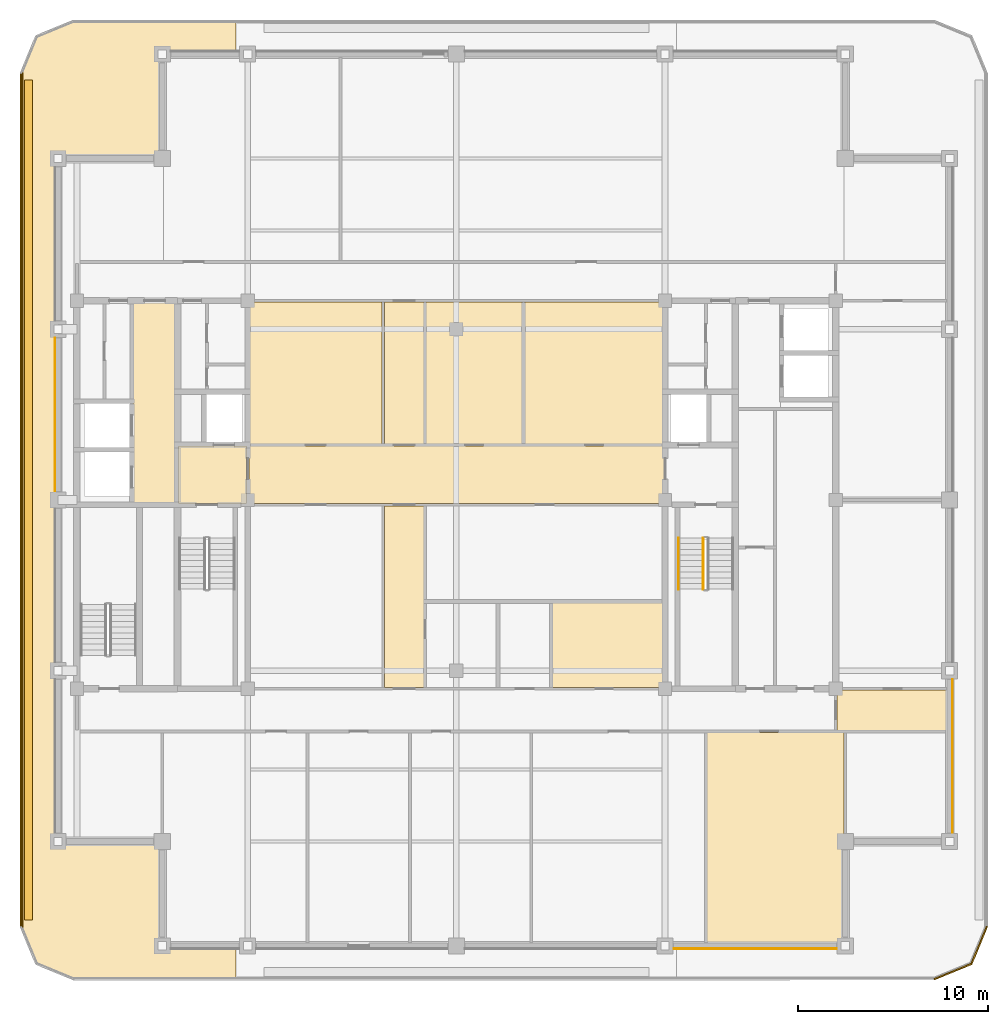
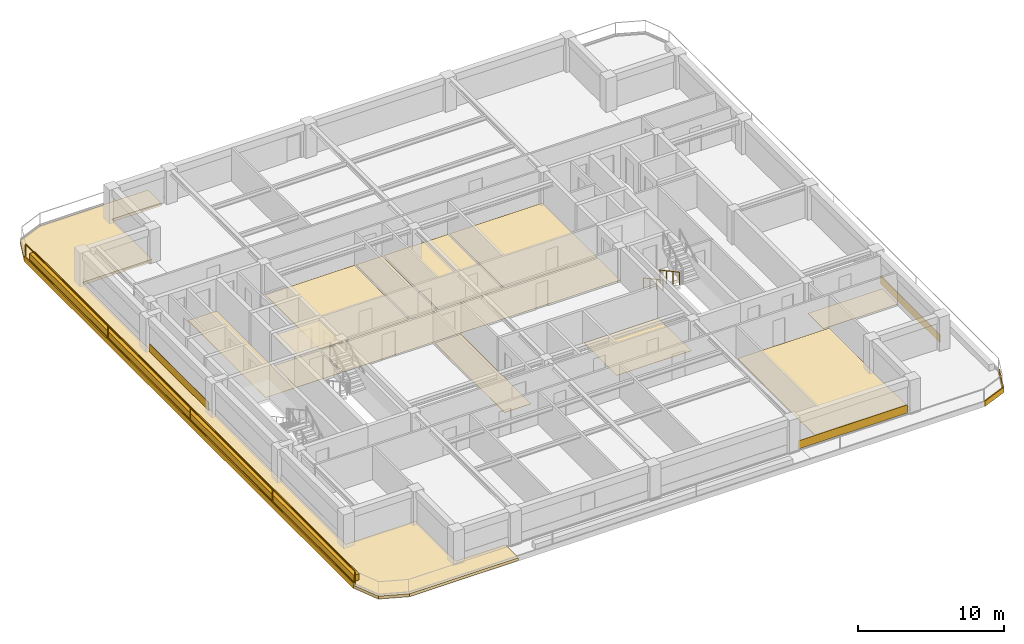
# One storey, part 8 of 10: 20 coverings, 3 railings.
"""IFC4 building model written with IfcOpenShell, lengths in metres."""

from ifc_helpers import new_model, si_unit, direction, frame, frame_2d, origin, origin_2d, place, context, subcontext, project, spatial, polyline, rectangle, outline, extrude, material, layer, layer_set, type_object, element, save


model = new_model("IFC4")

# Units and contexts
model_context = context("Model", 3, precision=1e-05, world=origin(), true_north=direction((0.0, 1.0)))
body_context = subcontext(model_context, "Body", "Model", "MODEL_VIEW")
ifc_project = project(units=[si_unit("LENGTHUNIT", "METRE"), si_unit("AREAUNIT", "SQUARE_METRE"), si_unit("VOLUMEUNIT", "CUBIC_METRE"), si_unit("PLANEANGLEUNIT", "RADIAN"), si_unit("MASSUNIT", "GRAM", prefix="KILO")], contexts=[model_context])

# Site, building, storey
site_placement = place(None, origin())
site = spatial("IfcSite", under=ifc_project, at=site_placement, CompositionType="ELEMENT")
building_placement = place(site_placement, origin())
building = spatial("IfcBuilding", under=site, at=building_placement, Name="Zulmaris Gate Convention Tower", CompositionType="ELEMENT")
storey_placement = place(building_placement, frame((0.0, 0.0, 246.199951171875)))
storey = spatial("IfcBuildingStorey", under=building, at=storey_placement, Name="L65", CompositionType="ELEMENT", Elevation=246.199951171875)

# Coverings
ifc_material_1 = material(Name="Precast concrete C40/50", Category="concrete")
ifc_layer_1 = layer(ifc_material_1, 0.0400390625, Name="Precast concrete C40/50")
ifc_layer_set_1 = layer_set([ifc_layer_1], Name="Precast concrete C40/50")
covering_type_1 = type_object("IfcCoveringType", Name="CLAD-SPANDREL-PRECAST", PredefinedType="CLADDING", material=ifc_layer_set_1)
covering_1_placement = place(storey_placement, frame((11.455078125, -23.64990234375, 0.0), z_axis=(0.0, 0.0, 1.0), x_axis=(1.0, 0.0, 0.0)))
element("IfcCovering", 1, at=covering_1_placement, inside=storey, type_object=covering_type_1, Name="CLD-L65-S-3_0", PredefinedType="CLADDING", context=body_context, shape_type="SweptSolid", body=[
    extrude(rectangle(XDim=8.58984375, YDim=0.0400390625, at=frame_2d((4.294921875, 0.0))), origin(), (0.0, 0.0, 1.0), 0.679931640625),
])
for number, where, z_axis, x_axis, name in (
    (2, (26.14990234375, -17.544921875, 0.0), (0.0, 0.0, 1.0), (0.0, 1.0, 0.0), "CLD-L65-E-0_0"),
    (3, (-21.14990234375, 8.544921875, 0.0), (0.0, 0.0, 1.0), (0.0, -1.0, 0.0), "CLD-L65-W-2_0"),
):
    element("IfcCovering", number, at=place(storey_placement, frame(where, z_axis=z_axis, x_axis=x_axis)), inside=storey, type_object=covering_type_1, Name=name, PredefinedType="CLADDING", context=body_context, shape_type="SweptSolid", body=[
        extrude(rectangle(XDim=8.08984375, YDim=0.0400390625, at=frame_2d((4.044921875, 0.0))), origin(), (0.0, 0.0, 1.0), 0.679931640625),
    ])
ifc_material_2 = material(Name="White Glazed Architectural Precast Concrete C40/50", Category="concrete")
ifc_layer_2 = layer(ifc_material_2, 0.239990234375, Name="White Glazed Architectural Precast Concrete C40/50")
ifc_layer_set_2 = layer_set([ifc_layer_2], Name="White Glazed Architectural Precast Concrete C40/50")
covering_type_2 = type_object("IfcCoveringType", Name="CLAD-TRAY-DECK", PredefinedType="CLADDING", material=ifc_layer_set_2)
covering_2_placement = place(storey_placement, frame((0.0, 0.0, -0.25)))
element("IfcCovering", 4, at=covering_2_placement, inside=storey, type_object=covering_type_2, Name="L65 West Rounded-Fascia Planter Tray Deck", PredefinedType="CLADDING", context=body_context, shape_type="SweptSolid", body=[
    extrude(outline(polyline([(-23.0, 22.5), (-22.179931640625, 24.47998046875), (-20.199951171875, 25.300048828125), (-11.60205078125, 25.300048828125), (-11.60205078125, 23.5), (-15.5, 23.5), (-15.5, 18.0), (-21.0, 18.0), (-21.0, -18.0), (-15.5, -18.0), (-15.5, -23.5), (-11.60205078125, -23.5), (-11.60205078125, -25.300048828125), (-20.199951171875, -25.300048828125), (-22.179931640625, -24.47998046875), (-23.0, -22.5), (-23.0, 22.5)])), origin(), (0.0, 0.0, 1.0), 0.239990234375),
])
ifc_layer_3 = layer(ifc_material_2, 0.080078125, Name="White Glazed Architectural Precast Concrete C40/50")
ifc_layer_set_3 = layer_set([ifc_layer_3], Name="White Glazed Architectural Precast Concrete C40/50")
covering_type_3 = type_object("IfcCoveringType", Name="CLAD-TRAY-FASCIA", PredefinedType="CLADDING", material=ifc_layer_set_3)
covering_3_placement = place(storey_placement, frame((25.184814453125, -25.262939453125, -0.2900390625), z_axis=(0.0, 0.0, 1.0), x_axis=(0.923873803533, 0.382697263049, 0.0)))
element("IfcCovering", 5, at=covering_3_placement, inside=storey, type_object=covering_type_3, Name="FSC-L65-TR-03", PredefinedType="CLADDING", context=body_context, shape_type="SweptSolid", body=[
    extrude(rectangle(XDim=2.142822265625, YDim=0.080078125, at=frame_2d((1.0712890625, 0.0))), origin(), (0.0, 0.0, 1.0), 0.440185546875),
])
covering_4_placement = place(storey_placement, frame((27.142822265625, -24.464599609375, -0.2900390625), z_axis=(0.0, 0.0, 1.0), x_axis=(0.382656984709, 0.923890487046, 0.0)))
element("IfcCovering", 6, at=covering_4_placement, inside=storey, type_object=covering_type_3, Name="FSC-L65-TR-04", PredefinedType="CLADDING", context=body_context, shape_type="SweptSolid", body=[
    extrude(rectangle(XDim=2.14306640625, YDim=0.080078125, at=frame_2d((1.071533203125, 0.0))), origin(), (0.0, 0.0, 1.0), 0.440185546875),
])
covering_5_placement = place(storey_placement, frame((-22.9599609375, 22.5, -0.2900390625), z_axis=(0.0, 0.0, 1.0), x_axis=(0.0, -1.0, 0.0)))
element("IfcCovering", 7, at=covering_5_placement, inside=storey, type_object=covering_type_3, Name="FSC-L65-TR-11", PredefinedType="CLADDING", context=body_context, shape_type="SweptSolid", body=[
    extrude(rectangle(XDim=45.0, YDim=0.080078125, at=frame_2d((22.5, 0.0))), origin(), (0.0, 0.0, 1.0), 0.440185546875),
])
ifc_material_3 = material(Name="Mineral Fibre Acoustic Ceiling Tile")
ifc_layer_4 = layer(ifc_material_3, 0.02001953125, Name="Mineral Fibre Acoustic Ceiling Tile")
ifc_layer_set_4 = layer_set([ifc_layer_4], Name="Mineral Fibre Acoustic Ceiling Tile")
covering_type_4 = type_object("IfcCoveringType", Name="CLG-ACOUSTIC-600", PredefinedType="CEILING", material=ifc_layer_set_4)
covering_6_placement = place(storey_placement, frame((0.0, 0.0, 2.52490234375)))
element("IfcCovering", 8, at=covering_6_placement, inside=storey, type_object=covering_type_4, Name="CLG-L65-R03", PredefinedType="CEILING", context=body_context, shape_type="SweptSolid", body=[
    extrude(outline(polyline([(-14.639892578125, -0.18994140625), (-11.06005859375, -0.18994140625), (-11.06005859375, 2.840087890625), (-14.639892578125, 2.840087890625), (-14.639892578125, -0.18994140625)])), origin(), (0.0, 0.0, 1.0), 0.02001953125),
])
ifc_material_4 = material(Name="Woven Acoustic Wool Carpet Tile")
ifc_layer_5 = layer(ifc_material_4, 0.02001953125, Name="Woven Acoustic Wool Carpet Tile")
ifc_layer_set_5 = layer_set([ifc_layer_5], Name="Woven Acoustic Wool Carpet Tile")
covering_type_5 = type_object("IfcCoveringType", Name="FLR-CARPET-12", PredefinedType="FLOORING", material=ifc_layer_set_5)
covering_7_placement = place(storey_placement, origin())
element("IfcCovering", 9, at=covering_7_placement, inside=storey, type_object=covering_type_5, Name="FLR-L65-R03", PredefinedType="FLOORING", context=body_context, shape_type="SweptSolid", body=[
    extrude(outline(polyline([(-14.639892578125, -0.18994140625), (-11.06005859375, -0.18994140625), (-11.06005859375, 2.840087890625), (-14.639892578125, 2.840087890625), (-14.639892578125, -0.18994140625)])), origin(), (0.0, 0.0, 1.0), 0.02001953125),
])
covering_8_placement = place(storey_placement, origin())
element("IfcCovering", 10, at=covering_8_placement, inside=storey, type_object=covering_type_5, Name="FLR-L65-R21", PredefinedType="FLOORING", context=body_context, shape_type="SweptSolid", body=[
    extrude(outline(polyline([(-17.0400390625, -0.18994140625), (-14.760009765625, -0.18994140625), (-14.760009765625, 10.43994140625), (-17.0400390625, 10.43994140625), (-17.0400390625, -0.18994140625)])), origin(), (0.0, 0.0, 1.0), 0.02001953125),
])
covering_9_placement = place(storey_placement, origin())
element("IfcCovering", 11, at=covering_9_placement, inside=storey, type_object=covering_type_5, Name="FLR-L65-R34", PredefinedType="FLOORING", context=body_context, shape_type="SweptSolid", body=[
    extrude(outline(polyline([(-10.93994140625, -0.18994140625), (10.93994140625, -0.18994140625), (10.93994140625, 2.840087890625), (-10.93994140625, 2.840087890625), (-10.93994140625, -0.18994140625)])), origin(), (0.0, 0.0, 1.0), 0.02001953125),
])
covering_10_placement = place(storey_placement, origin())
element("IfcCovering", 12, at=covering_10_placement, inside=storey, type_object=covering_type_5, Name="FLR-L65-R35", PredefinedType="FLOORING", context=body_context, shape_type="SweptSolid", body=[
    extrude(outline(polyline([(-3.7900390625, 2.9599609375), (-1.7099609375, 2.9599609375), (-1.7099609375, 10.43994140625), (-3.7900390625, 10.43994140625), (-3.7900390625, 2.9599609375)])), origin(), (0.0, 0.0, 1.0), 0.02001953125),
])
covering_11_placement = place(storey_placement, origin())
element("IfcCovering", 13, at=covering_11_placement, inside=storey, type_object=covering_type_5, Name="FLR-L65-R36", PredefinedType="FLOORING", context=body_context, shape_type="SweptSolid", body=[
    extrude(outline(polyline([(-3.7900390625, -9.889892578125), (-1.7099609375, -9.889892578125), (-1.7099609375, -0.31005859375), (-3.7900390625, -0.31005859375), (-3.7900390625, -9.889892578125)])), origin(), (0.0, 0.0, 1.0), 0.02001953125),
])
covering_12_placement = place(storey_placement, origin())
element("IfcCovering", 14, at=covering_12_placement, inside=storey, type_object=covering_type_5, Name="FLR-L65-R43", PredefinedType="FLOORING", context=body_context, shape_type="SweptSolid", body=[
    extrude(outline(polyline([(13.2099609375, -23.43994140625), (20.43994140625, -23.43994140625), (20.43994140625, -12.260009765625), (13.2099609375, -12.260009765625), (13.2099609375, -23.43994140625)])), origin(), (0.0, 0.0, 1.0), 0.02001953125),
])
covering_13_placement = place(storey_placement, origin())
element("IfcCovering", 15, at=covering_13_placement, inside=storey, type_object=covering_type_5, Name="FLR-L65-R46", PredefinedType="FLOORING", context=body_context, shape_type="SweptSolid", body=[
    extrude(outline(polyline([(3.60009765625, 2.9599609375), (10.93994140625, 2.9599609375), (10.93994140625, 10.43994140625), (3.60009765625, 10.43994140625), (3.60009765625, 2.9599609375)])), origin(), (0.0, 0.0, 1.0), 0.02001953125),
])
covering_14_placement = place(storey_placement, origin())
element("IfcCovering", 16, at=covering_14_placement, inside=storey, type_object=covering_type_5, Name="FLR-L65-R51", PredefinedType="FLOORING", context=body_context, shape_type="SweptSolid", body=[
    extrude(outline(polyline([(5.06005859375, -9.889892578125), (10.93994140625, -9.889892578125), (10.93994140625, -5.409912109375), (5.06005859375, -5.409912109375), (5.06005859375, -9.889892578125)])), origin(), (0.0, 0.0, 1.0), 0.02001953125),
])
covering_15_placement = place(storey_placement, origin())
element("IfcCovering", 17, at=covering_15_placement, inside=storey, type_object=covering_type_5, Name="FLR-L65-R53", PredefinedType="FLOORING", context=body_context, shape_type="SweptSolid", body=[
    extrude(outline(polyline([(20.06005859375, -12.139892578125), (25.93994140625, -12.139892578125), (25.93994140625, -10.010009765625), (20.06005859375, -10.010009765625), (20.06005859375, -12.139892578125)])), origin(), (0.0, 0.0, 1.0), 0.02001953125),
])
ifc_material_5 = material(Name="Polished Granite Terrazzo Tile", Category="masonry")
ifc_layer_6 = layer(ifc_material_5, 0.02001953125, Name="Polished Granite Terrazzo Tile")
ifc_layer_set_6 = layer_set([ifc_layer_6], Name="Polished Granite Terrazzo Tile")
covering_type_6 = type_object("IfcCoveringType", Name="FLR-TERRAZZO-30", PredefinedType="FLOORING", material=ifc_layer_set_6)
covering_16_placement = place(storey_placement, origin())
element("IfcCovering", 18, at=covering_16_placement, inside=storey, type_object=covering_type_6, Name="FLR-L65-R44", PredefinedType="FLOORING", context=body_context, shape_type="SweptSolid", body=[
    extrude(outline(polyline([(-10.93994140625, 2.9599609375), (-3.909912109375, 2.9599609375), (-3.909912109375, 10.43994140625), (-10.93994140625, 10.43994140625), (-10.93994140625, 2.9599609375)])), origin(), (0.0, 0.0, 1.0), 0.02001953125),
])
ifc_material_6 = material(Name="Engineered Teak Parquet Flooring")
ifc_layer_7 = layer(ifc_material_6, 0.02001953125, Name="Engineered Teak Parquet Flooring")
ifc_layer_set_7 = layer_set([ifc_layer_7], Name="Engineered Teak Parquet Flooring")
covering_type_7 = type_object("IfcCoveringType", Name="FLR-TIMBER-18", PredefinedType="FLOORING", material=ifc_layer_set_7)
covering_17_placement = place(storey_placement, origin())
element("IfcCovering", 19, at=covering_17_placement, inside=storey, type_object=covering_type_7, Name="FLR-L65-R45", PredefinedType="FLOORING", context=body_context, shape_type="SweptSolid", body=[
    extrude(outline(polyline([(-1.590087890625, 2.9599609375), (3.47998046875, 2.9599609375), (3.47998046875, 10.43994140625), (-1.590087890625, 10.43994140625), (-1.590087890625, 2.9599609375)])), origin(), (0.0, 0.0, 1.0), 0.02001953125),
])
ifc_material_7 = material(Name="Botanical Green Glazed Precast Concrete C40/50", Category="concrete")
ifc_layer_8 = layer(ifc_material_7, 0.419921875, Name="Botanical Green Glazed Precast Concrete C40/50")
ifc_layer_set_8 = layer_set([ifc_layer_8], Name="Botanical Green Glazed Precast Concrete C40/50")
covering_type_8 = type_object("IfcCoveringType", Name="PLANTER-BOX-200", PredefinedType="CLADDING", material=ifc_layer_set_8)
covering_18_placement = place(storey_placement, frame((0.0, 0.0, -0.010009765625)))
element("IfcCovering", 20, at=covering_18_placement, inside=storey, type_object=covering_type_8, Name="L65 W Full-Length Balcony Tree Planter Trough", PredefinedType="CLADDING", context=body_context, shape_type="SweptSolid", body=[
    extrude(outline(polyline([(-22.760009765625, -22.14990234375), (-22.340087890625, -22.14990234375), (-22.340087890625, 22.14990234375), (-22.760009765625, 22.14990234375), (-22.760009765625, -22.14990234375)])), origin(), (0.0, 0.0, 1.0), 0.52001953125),
])

# Railings
ifc_material_8 = material(Name="Laminated Glass and Stainless Steel", Category="steel")
railing_type_1 = type_object("IfcRailingType", Name="RL-BALC-1150", PredefinedType="BALUSTRADE", material=ifc_material_8)
railing_1_placement = place(storey_placement, frame((-22.8798828125, 22.5, -0.010009765625)))
element("IfcRailing", 21, at=railing_1_placement, inside=storey, type_object=railing_type_1, Name="RL-L65-BALC-W", PredefinedType="BALUSTRADE", context=body_context, shape_type="SweptSolid", body=[
    extrude(rectangle(XDim=0.048095703125, YDim=0.048095703125, at=origin_2d()), frame((0.0, 0.0, 1.1259765625), z_axis=(0.0, -1.0, 0.0), x_axis=(1.0, 0.0, 0.0)), (0.0, 0.0, 1.0), 45.0),
    extrude(rectangle(XDim=0.048095703125, YDim=0.048095703125, at=origin_2d()), frame((0.0, 0.0, 0.02392578125), z_axis=(0.0, -1.0, 0.0), x_axis=(1.0, 0.0, 0.0)), (0.0, 0.0, 1.0), 45.0),
    extrude(rectangle(XDim=0.0419921875, YDim=0.0419921875, at=origin_2d()), origin(), (0.0, 0.0, 1.0), 1.101806640625),
    extrude(rectangle(XDim=0.0419921875, YDim=0.0419921875, at=origin_2d()), frame((0.0, -11.25, 0.0)), (0.0, 0.0, 1.0), 1.101806640625),
    extrude(rectangle(XDim=0.0419921875, YDim=0.0419921875, at=origin_2d()), frame((0.0, -22.5, 0.0)), (0.0, 0.0, 1.0), 1.101806640625),
    extrude(rectangle(XDim=0.0419921875, YDim=0.0419921875, at=origin_2d()), frame((0.0, -33.75, 0.0)), (0.0, 0.0, 1.0), 1.101806640625),
    extrude(rectangle(XDim=0.0419921875, YDim=0.0419921875, at=origin_2d()), frame((0.0, -45.0, 0.0)), (0.0, 0.0, 1.0), 1.101806640625),
])
ifc_material_9 = material(Name="Painted Galvanised Steel", Category="steel")
railing_type_2 = type_object("IfcRailingType", Name="RL-STG-1150", PredefinedType="GUARDRAIL", material=ifc_material_9)
railing_2_placement = place(storey_placement, frame((13.010009765625, -2.0, 0.16162109375)))
element("IfcRailing", 22, at=railing_2_placement, inside=storey, type_object=railing_type_2, Name="L65 ST-2 stair guard 1", PredefinedType="GUARDRAIL", context=body_context, shape_type="SweptSolid", body=[
    extrude(rectangle(XDim=0.048095703125, YDim=0.048095703125, at=origin_2d()), frame((0.0, 0.0, 1.076171875), z_axis=(0.0, -0.880532452117, 0.47398586558), x_axis=(1.0, 0.0, 0.0)), (0.0, 0.0, 1.0), 3.066162109375),
    extrude(rectangle(XDim=0.0419921875, YDim=0.0419921875, at=origin_2d()), origin(), (0.0, 0.0, 1.0), 1.052001953125),
    extrude(rectangle(XDim=0.0419921875, YDim=0.0419921875, at=origin_2d()), frame((0.0, -0.89990234375, 0.484375)), (0.0, 0.0, 1.0), 1.052001953125),
    extrude(rectangle(XDim=0.0419921875, YDim=0.0419921875, at=origin_2d()), frame((0.0, -1.800048828125, 0.968994140625)), (0.0, 0.0, 1.0), 1.052001953125),
    extrude(rectangle(XDim=0.0419921875, YDim=0.0419921875, at=origin_2d()), frame((0.0, -2.699951171875, 1.453369140625)), (0.0, 0.0, 1.0), 1.052001953125),
])
ifc_material_10 = material(Name="Brushed Stainless Steel", Category="steel")
railing_type_3 = type_object("IfcRailingType", Name="RL-STH-900", PredefinedType="HANDRAIL", material=ifc_material_10)
railing_3_placement = place(storey_placement, frame((11.7099609375, -2.0, 0.16162109375)))
element("IfcRailing", 23, at=railing_3_placement, inside=storey, type_object=railing_type_3, Name="L65 ST-2 stair handrail 1", PredefinedType="HANDRAIL", context=body_context, shape_type="SweptSolid", body=[
    extrude(rectangle(XDim=0.048095703125, YDim=0.048095703125, at=origin_2d()), frame((0.0, 0.0, 0.8759765625), z_axis=(0.0, -0.880532452117, 0.47398586558), x_axis=(1.0, 0.0, 0.0)), (0.0, 0.0, 1.0), 3.066162109375),
    extrude(rectangle(XDim=0.0419921875, YDim=0.0419921875, at=origin_2d()), origin(), (0.0, 0.0, 1.0), 0.851806640625),
    extrude(rectangle(XDim=0.0419921875, YDim=0.0419921875, at=origin_2d()), frame((0.0, -0.89990234375, 0.484375)), (0.0, 0.0, 1.0), 0.851806640625),
    extrude(rectangle(XDim=0.0419921875, YDim=0.0419921875, at=origin_2d()), frame((0.0, -1.800048828125, 0.968994140625)), (0.0, 0.0, 1.0), 0.851806640625),
    extrude(rectangle(XDim=0.0419921875, YDim=0.0419921875, at=origin_2d()), frame((0.0, -2.699951171875, 1.453369140625)), (0.0, 0.0, 1.0), 0.851806640625),
])

save(model, "model.ifc")
